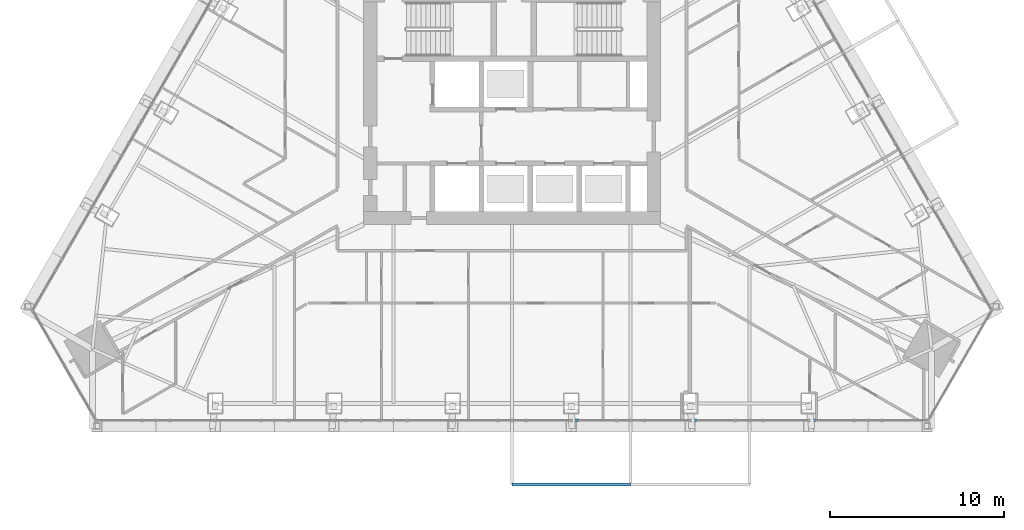
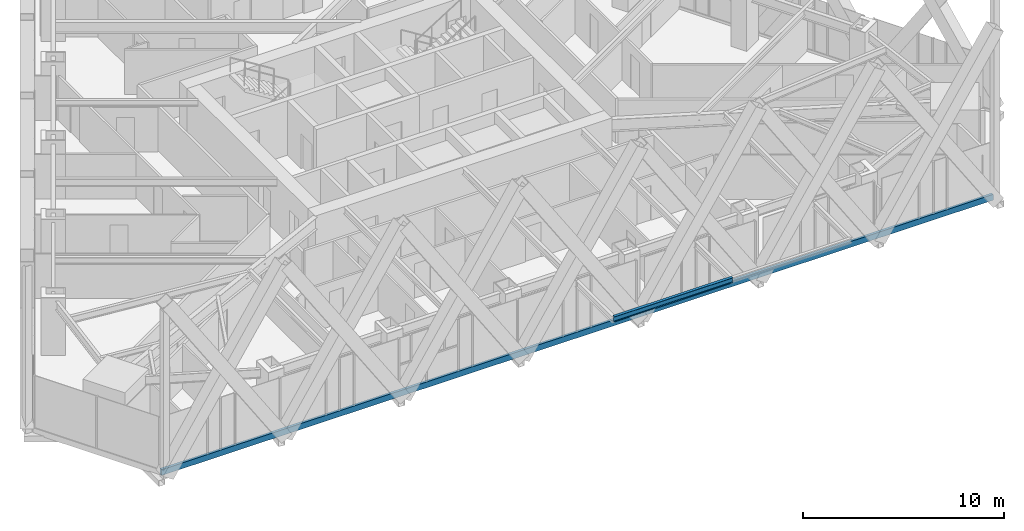
# One storey, part 3 of 24: 1 beam, 1 member, 1 element without a shape of its own.
"""IFC4 building model written with IfcOpenShell, lengths in metres."""

import ifcopenshell
import ifcopenshell.guid

model = None  # the IFC model being written
_history = None  # IfcOwnerHistory: only IFC2X3 demands one
_inside = {}  # id of a spatial element -> (the spatial element, [elements in it])
_under = {}  # id of a project, library or spatial element -> (it, [spatial elements below it])
_declared = {}  # id of a project -> (the project, [libraries it declares])
_typed = {}  # id of a type object -> (the type object, [elements of that type])
_made_of = {}  # id of a material, layer set ... -> (it, [elements and type objects made of it])


def new_model(schema):
    """Start an empty IFC model of exactly this schema.

    Asked for "IFC4X3", IfcOpenShell would pick the latest addendum, in which some entities
    have other attributes; the version numbers below select the first issue.
    IFC2X3 requires an IfcOwnerHistory on every rooted entity: one is made here for all.
    """
    global model, _history
    if schema == "IFC4X3":
        model = ifcopenshell.file(schema_version=(4, 3, 0, 0))
    else:
        model = ifcopenshell.file(schema=schema)
    _inside.clear()
    _under.clear()
    _declared.clear()
    _typed.clear()
    _made_of.clear()
    _history = None
    if model.schema == "IFC2X3":
        org = make("IfcOrganization", Name="unknown")
        user = make(
            "IfcPersonAndOrganization",
            ThePerson=make("IfcPerson", FamilyName="unknown"),
            TheOrganization=org,
        )
        app = make(
            "IfcApplication",
            ApplicationDeveloper=org,
            Version="unknown",
            ApplicationFullName="unknown",
            ApplicationIdentifier="unknown",
        )
        _history = make(
            "IfcOwnerHistory",
            OwningUser=user,
            OwningApplication=app,
            ChangeAction="ADDED",
            CreationDate=0,
        )
    return model


def make(cls, **values):
    """One entity of the class cls with the attributes given. An attribute that is None is left unset."""
    return model.create_entity(
        cls, **{name: value for name, value in values.items() if value is not None}
    )


def rooted(cls, **values):
    """An entity with a GlobalId (a new one), such as an element, a storey or a relation."""
    return make(cls, GlobalId=ifcopenshell.guid.new(), OwnerHistory=_history, **values)


def si_unit(unit_type, name, prefix=None):
    """IfcSIUnit, for example si_unit("LENGTHUNIT", "METRE", prefix="MILLI")."""
    return make("IfcSIUnit", UnitType=unit_type, Prefix=prefix, Name=name)


def assignment(units):
    """IfcUnitAssignment: the units of a project."""
    return None if units is None else make("IfcUnitAssignment", Units=units)


def point(xyz):
    """IfcCartesianPoint."""
    return None if xyz is None else make("IfcCartesianPoint", Coordinates=xyz)


def direction(xyz):
    """IfcDirection."""
    return None if xyz is None else make("IfcDirection", DirectionRatios=xyz)


def frame(location, z_axis=None, x_axis=None):
    """IfcAxis2Placement3D, a coordinate frame: its origin and axes. An axis left out is left unset."""
    return make(
        "IfcAxis2Placement3D",
        Location=point(location),
        Axis=direction(z_axis),
        RefDirection=direction(x_axis),
    )


def frame_2d(location, x_axis=None):
    """IfcAxis2Placement2D, a coordinate frame in the plane: its origin and x axis."""
    return make(
        "IfcAxis2Placement2D", Location=point(location), RefDirection=direction(x_axis)
    )


def origin():
    """The frame at (0, 0, 0) with its axes left unset."""
    return frame((0.0, 0.0, 0.0))


def origin_2d():
    """The frame at (0, 0) in the plane with its x axis left unset."""
    return frame_2d((0.0, 0.0))


def place(relative_to, where):
    """IfcLocalPlacement: puts the frame where relative to a parent placement (None: the world)."""
    return make(
        "IfcLocalPlacement", PlacementRelTo=relative_to, RelativePlacement=where
    )


def context(
    kind, dimensions, precision=None, world=None, true_north=None, identifier=None
):
    """IfcGeometricRepresentationContext, for example the 3D "Model" context."""
    return make(
        "IfcGeometricRepresentationContext",
        ContextIdentifier=identifier,
        ContextType=kind,
        CoordinateSpaceDimension=dimensions,
        Precision=precision,
        WorldCoordinateSystem=world,
        TrueNorth=true_north,
    )


def subcontext(parent, identifier, kind, view, scale=None):
    """IfcGeometricRepresentationSubContext, for example "Body" below "Model"."""
    return make(
        "IfcGeometricRepresentationSubContext",
        ContextIdentifier=identifier,
        ContextType=kind,
        ParentContext=parent,
        TargetScale=scale,
        TargetView=view,
    )


def project(units=None, contexts=None):
    """IfcProject with its units and contexts."""
    return rooted(
        "IfcProject",
        Name="project",
        RepresentationContexts=contexts,
        UnitsInContext=assignment(units),
    )


def spatial(cls, under=None, at=None, **own):
    """A site, building, storey or space (cls), placed at a placement, below another one or the project."""
    s = rooted(cls, ObjectPlacement=at, **own)
    if under is not None:
        _under.setdefault(under.id(), (under, []))[1].append(s)
    return s


def profile(cls, at=None, kind="AREA", **sizes):
    """A parametric profile (cls). Its sizes go by their IFC names, for example OverallWidth=200.0."""
    return make(cls, ProfileType=kind, Position=at, **sizes)


def rectangle(**sizes):
    """IfcRectangleProfileDef."""
    return profile("IfcRectangleProfileDef", **sizes)


def i_section(**sizes):
    """IfcIShapeProfileDef."""
    return profile("IfcIShapeProfileDef", **sizes)


def extrude(swept, where, along, depth):
    """IfcExtrudedAreaSolid: the profile swept, set in the frame where, extruded along a direction by depth."""
    return make(
        "IfcExtrudedAreaSolid",
        SweptArea=swept,
        Position=where,
        ExtrudedDirection=direction(along),
        Depth=depth,
    )


def shape(context_of_items, identifier, shape_type, items):
    """IfcShapeRepresentation: the items that make up one representation, for example the "Body"."""
    return make(
        "IfcShapeRepresentation",
        ContextOfItems=context_of_items,
        RepresentationIdentifier=identifier,
        RepresentationType=shape_type,
        Items=items,
    )


def material(Name=None, Category=None):
    """IfcMaterial."""
    return make("IfcMaterial", Name=Name, Category=Category)


def layer(
    of_material, thickness, ventilated=None, Name=None, Category=None, Priority=None
):
    """IfcMaterialLayer: one layer of a wall or slab, of a material (None: an air gap)."""
    return make(
        "IfcMaterialLayer",
        Material=of_material,
        LayerThickness=thickness,
        IsVentilated=ventilated,
        Name=Name,
        Category=Category,
        Priority=Priority,
    )


def layer_set(layers, Name=None):
    """IfcMaterialLayerSet."""
    return make("IfcMaterialLayerSet", MaterialLayers=layers, LayerSetName=Name)


def material_profile(
    of_material, cross_section, Name=None, Category=None, Priority=None
):
    """IfcMaterialProfile: a cross section and its material."""
    return make(
        "IfcMaterialProfile",
        Name=Name,
        Material=of_material,
        Profile=cross_section,
        Priority=Priority,
        Category=Category,
    )


def profile_set(profiles, Name=None, composite=None):
    """IfcMaterialProfileSet."""
    return make(
        "IfcMaterialProfileSet",
        Name=Name,
        MaterialProfiles=profiles,
        CompositeProfile=composite,
    )


def made_of(thing, what):
    """Note that an element or type object is made of a material, layer set ...; save() writes the relation."""
    if what is not None:
        _made_of.setdefault(what.id(), (what, []))[1].append(thing)
    return thing


def type_object(cls, material=None, **own):
    """A type object (cls), such as IfcWallType, which elements share."""
    return made_of(rooted(cls, **own), material)


def element(
    cls,
    number,
    at=None,
    inside=None,
    cuts=None,
    type_object=None,
    material=None,
    context=None,
    identifier="Body",
    shape_type=None,
    held_by="IfcProductDefinitionShape",
    body=None,
    shapes=None,
    **own,
):
    """One element of the class cls, such as IfcWall. Its Tag is "e" and its number.

    at: its placement. inside: the storey or other place that contains it. cuts: it is an
    opening in that element (IfcRelVoidsElement). A single representation is given by context,
    identifier, shape_type and body (its items); several are given by shapes. held_by: the class
    of the entity that holds the representations. save() writes the other relations.
    """
    e = rooted(cls, Tag="e%d" % number, ObjectPlacement=at, **own)
    if body is not None:
        shapes = [shape(context, identifier, shape_type, body)]
    if shapes is not None:
        e.Representation = make(held_by, Representations=shapes)
    if inside is not None:
        _inside.setdefault(inside.id(), (inside, []))[1].append(e)
    if cuts is not None:
        rooted(
            "IfcRelVoidsElement", RelatingBuildingElement=cuts, RelatedOpeningElement=e
        )
    if type_object is not None:
        _typed.setdefault(type_object.id(), (type_object, []))[1].append(e)
    return made_of(e, material)


def aggregate(whole, parts):
    """IfcRelAggregates: a whole, such as a stair, and the parts it consists of."""
    return rooted("IfcRelAggregates", RelatingObject=whole, RelatedObjects=parts)


def save(model, path):
    """Write the relations noted so far, then the file.

    IfcRelAggregates (storeys below a building ...), IfcRelContainedInSpatialStructure (elements
    in a storey), IfcRelDefinesByType, IfcRelAssociatesMaterial and IfcRelDeclares: one each for
    every whole, place, type object, material and project.
    """
    for whole, parts in _under.values():
        aggregate(whole, parts)
    for where, things in _inside.values():
        rooted(
            "IfcRelContainedInSpatialStructure",
            RelatedElements=things,
            RelatingStructure=where,
        )
    for kind, things in _typed.values():
        rooted("IfcRelDefinesByType", RelatedObjects=things, RelatingType=kind)
    for what, things in _made_of.values():
        rooted("IfcRelAssociatesMaterial", RelatedObjects=things, RelatingMaterial=what)
    for by, libraries in _declared.values():
        rooted("IfcRelDeclares", RelatingContext=by, RelatedDefinitions=libraries)
    model.write(path)


model = new_model("IFC4")

# Units and contexts
model_context = context("Model", 3, precision=1e-05, world=origin(), true_north=direction((0.0, 1.0)))
body_context = subcontext(model_context, "Body", "Model", "MODEL_VIEW")
ifc_project = project(units=[si_unit("LENGTHUNIT", "METRE"), si_unit("AREAUNIT", "SQUARE_METRE"), si_unit("VOLUMEUNIT", "CUBIC_METRE"), si_unit("PLANEANGLEUNIT", "RADIAN"), si_unit("MASSUNIT", "GRAM", prefix="KILO")], contexts=[model_context])

# Site, building, storey
site_placement = place(None, origin())
site = spatial("IfcSite", under=ifc_project, at=site_placement, CompositionType="ELEMENT")
building_placement = place(site_placement, origin())
building = spatial("IfcBuilding", under=site, at=building_placement, Name="Firuza Gate Tower and Library", CompositionType="ELEMENT")
storey_placement = place(building_placement, frame((0.0, 0.0, 260.10009765625)))
storey = spatial("IfcBuildingStorey", under=building, at=storey_placement, Name="L61", CompositionType="ELEMENT", Elevation=260.10009765625)

# Curtain wall, member
ifc_material_1 = material(Name="Aluminium 6063-T6", Category="aluminium")
ifc_layer = layer(ifc_material_1, 0.14990234375)
ifc_layer_set = layer_set([ifc_layer], Name="Unitised curtain wall, residences")
curtain_wall_type = type_object("IfcCurtainWallType", Name="Unitised curtain wall, residences", PredefinedType="NOTDEFINED", material=ifc_layer_set)
curtain_wall_placement = place(storey_placement, origin())
curtain_wall = element("IfcCurtainWall", 1, at=curtain_wall_placement, inside=storey, type_object=curtain_wall_type, Name="CW3 L61 S face", PredefinedType="NOTDEFINED")
ifc_material_2 = material(Name="Aluminium 6063-T6", Category="aluminium")
ifc_material_profile_1 = material_profile(ifc_material_2, rectangle(XDim=0.14990234375, YDim=0.35009765625, at=origin_2d()))
ifc_profile_set_1 = profile_set([ifc_material_profile_1], Name="Aluminium 6063-T6")
member_type = type_object("IfcMemberType", Name="Curtain wall transom 350x150", PredefinedType="USERDEFINED", material=ifc_profile_set_1)
member_placement = place(storey_placement, frame((51.15673828125, 57.027099609375, -0.025146484375), z_axis=(1.0, 0.0, 0.0), x_axis=(0.0, 1.0, 0.0)))
member = element("IfcMember", 2, at=member_placement, type_object=member_type, Name="Transom", ObjectType="TRANSOM", PredefinedType="USERDEFINED", context=body_context, shape_type="SweptSolid", body=[
    extrude(rectangle(XDim=0.14990234375, YDim=0.35009765625, at=origin_2d()), origin(), (0.0, 0.0, 1.0), 47.6865234375),
])
aggregate(curtain_wall, [member])

# Beam
ifc_material_3 = material(Name="Steel S355", Category="steel")
ifc_material_profile_2 = material_profile(ifc_material_3, i_section(OverallWidth=0.1650390625, OverallDepth=0.31005859375, WebThickness=0.005859375, FlangeThickness=0.009765625, at=origin_2d()))
ifc_profile_set_2 = profile_set([ifc_material_profile_2], Name="Steel S355")
beam_type = type_object("IfcBeamType", Name="W310x39 Floor beam", PredefinedType="JOIST", material=ifc_profile_set_2)
beam_placement = place(storey_placement, frame((75.0, 53.35205078125, 3.14501953125), z_axis=(1.0, 0.0, 0.0), x_axis=(0.0, 1.0, 0.0)))
element("IfcBeam", 3, at=beam_placement, inside=storey, type_object=beam_type, Name="Tray edge beam L61 s22-s23", PredefinedType="JOIST", context=body_context, shape_type="SweptSolid", body=[
    extrude(i_section(OverallWidth=0.1650390625, OverallDepth=0.31005859375, WebThickness=0.005859375, FlangeThickness=0.009765625, at=origin_2d()), origin(), (0.0, 0.0, 1.0), 6.800048828125),
])

save(model, "model.ifc")
